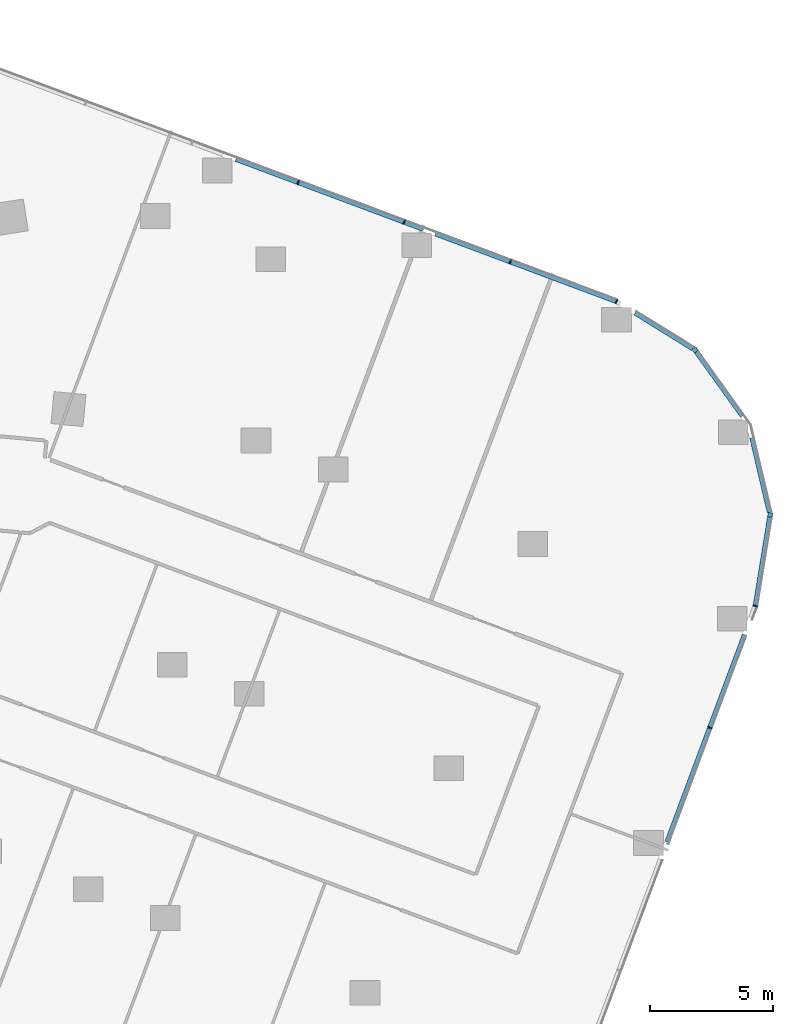
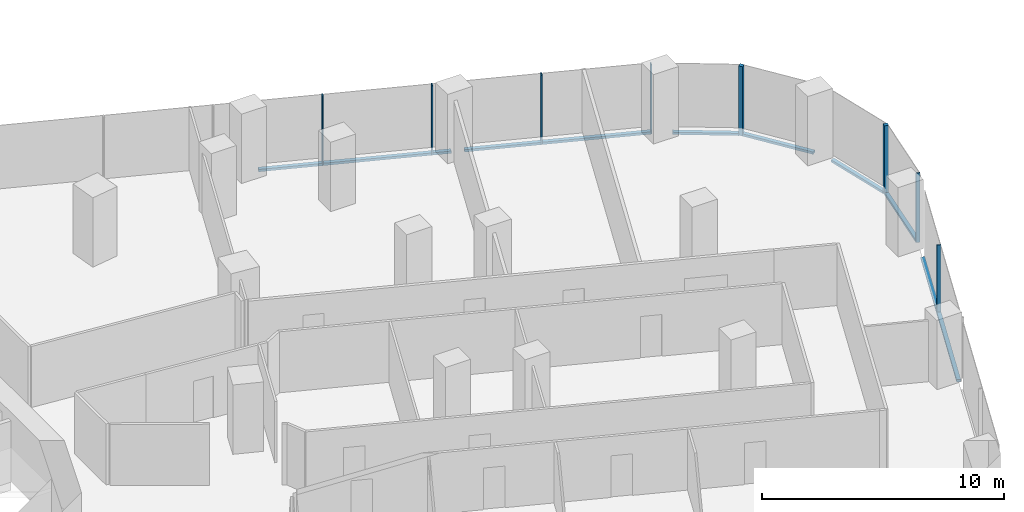
# One storey, part 10 of 31: 15 members, 6 elements without a shape of their own.
"""IFC4 building model written with IfcOpenShell, lengths in metres."""

from ifc_helpers import new_model, si_unit, direction, frame, origin, origin_2d, place, context, subcontext, project, spatial, rectangle, extrude, material, material_profile, profile_set, type_object, element, aggregate, save


model = new_model("IFC4")

# Units and contexts
model_context = context("Model", 3, precision=1e-05, world=origin(), true_north=direction((0.0, 1.0)))
body_context = subcontext(model_context, "Body", "Model", "MODEL_VIEW")
ifc_project = project(units=[si_unit("LENGTHUNIT", "METRE"), si_unit("AREAUNIT", "SQUARE_METRE"), si_unit("VOLUMEUNIT", "CUBIC_METRE"), si_unit("PLANEANGLEUNIT", "RADIAN"), si_unit("MASSUNIT", "GRAM", prefix="KILO")], contexts=[model_context])

# Site, building, storey
site_placement = place(None, origin())
site = spatial("IfcSite", under=ifc_project, at=site_placement, CompositionType="ELEMENT")
building_placement = place(site_placement, origin())
building = spatial("IfcBuilding", under=site, at=building_placement, Name="Orlundy Tower", CompositionType="ELEMENT")
storey_placement = place(building_placement, frame((0.0, 0.0, 84.199951171875)))
storey = spatial("IfcBuildingStorey", under=building, at=storey_placement, Name="L20", CompositionType="ELEMENT", Elevation=84.199951171875)

# Curtain wall, member
ifc_material_1 = material(Name="Aluminium bronze anodised", Category="aluminium")
curtain_wall_type = type_object("IfcCurtainWallType", Name="CW1 wall", PredefinedType="NOTDEFINED", material=ifc_material_1)
curtain_wall_1_placement = place(storey_placement, origin())
curtain_wall_1 = element("IfcCurtainWall", 1, at=curtain_wall_1_placement, inside=storey, type_object=curtain_wall_type, Name="CW1 run 08", PredefinedType="NOTDEFINED")
ifc_material_2 = material(Name="Aluminium bronze anodised", Category="aluminium")
ifc_material_profile_1 = material_profile(ifc_material_2, rectangle(XDim=0.179931640625, YDim=0.179931640625, at=origin_2d()), Name="CW1 corner post 180x180")
ifc_profile_set_1 = profile_set([ifc_material_profile_1], Name="Aluminium bronze anodised")
member_type_1 = type_object("IfcMemberType", Name="CW1 corner post 180x180", PredefinedType="MULLION", material=ifc_profile_set_1)
member_1_placement = place(storey_placement, frame((57.052490234375, -0.659912109375, -0.39990234375), z_axis=(0.0, 0.0, 1.0), x_axis=(0.811723617772, 0.584041752233, 0.0)))
member_1 = element("IfcMember", 2, at=member_1_placement, type_object=member_type_1, Name="CW1 mullion 33", PredefinedType="MULLION", context=body_context, shape_type="SweptSolid", body=[
    extrude(rectangle(XDim=0.179931640625, YDim=0.179931640625, at=origin_2d()), origin(), (0.0, 0.0, 1.0), 3.5),
])

curtain_wall_2_placement = place(storey_placement, origin())
curtain_wall_2 = element("IfcCurtainWall", 3, at=curtain_wall_2_placement, inside=storey, type_object=curtain_wall_type, Name="CW1 run 010", PredefinedType="NOTDEFINED")
member_2_placement = place(storey_placement, frame((60.0966796875, -7.3408203125, -0.39990234375), z_axis=(0.0, 0.0, 1.0), x_axis=(0.986985368462, -0.160810081906, 0.0)))
member_2 = element("IfcMember", 4, at=member_2_placement, type_object=member_type_1, Name="CW1 mullion 35", PredefinedType="MULLION", context=body_context, shape_type="SweptSolid", body=[
    extrude(rectangle(XDim=0.179931640625, YDim=0.179931640625, at=origin_2d()), origin(), (0.0, 0.0, 1.0), 3.5),
])

# Curtain wall, members
curtain_wall_3_placement = place(storey_placement, origin())
curtain_wall_3 = element("IfcCurtainWall", 5, at=curtain_wall_3_placement, inside=storey, type_object=curtain_wall_type, Name="CW1 run 06", PredefinedType="NOTDEFINED")
ifc_material_3 = material(Name="Aluminium bronze anodised", Category="aluminium")
ifc_material_profile_2 = material_profile(ifc_material_3, rectangle(XDim=0.179931640625, YDim=0.050048828125, at=origin_2d()), Name="CW1 mullion 50x180")
ifc_profile_set_2 = profile_set([ifc_material_profile_2], Name="Aluminium bronze anodised")
member_type_2 = type_object("IfcMemberType", Name="CW1 mullion 50x180", PredefinedType="MULLION", material=ifc_profile_set_2)
member_3_placement = place(storey_placement, frame((40.97509765625, 6.12841796875, -0.39990234375), z_axis=(0.0, 0.0, 1.0), x_axis=(0.350203812273, 0.93667352363, 0.0)))
member_3 = element("IfcMember", 6, at=member_3_placement, type_object=member_type_2, Name="CW1 mullion 29", PredefinedType="MULLION", context=body_context, shape_type="SweptSolid", body=[
    extrude(rectangle(XDim=0.179931640625, YDim=0.050048828125, at=origin_2d()), origin(), (0.0, 0.0, 1.0), 3.5),
])
member_4_placement = place(storey_placement, frame((45.273193359375, 4.521240234375, -0.39990234375), z_axis=(0.0, 0.0, 1.0), x_axis=(0.350203812273, 0.93667352363, 0.0)))
member_4 = element("IfcMember", 7, at=member_4_placement, type_object=member_type_2, Name="CW1 mullion 30", PredefinedType="MULLION", context=body_context, shape_type="SweptSolid", body=[
    extrude(rectangle(XDim=0.179931640625, YDim=0.050048828125, at=origin_2d()), origin(), (0.0, 0.0, 1.0), 3.5),
])
member_5_placement = place(storey_placement, frame((49.5712890625, 2.914306640625, -0.39990234375), z_axis=(0.0, 0.0, 1.0), x_axis=(0.350203812273, 0.93667352363, 0.0)))
member_5 = element("IfcMember", 8, at=member_5_placement, type_object=member_type_2, Name="CW1 mullion 31", PredefinedType="MULLION", context=body_context, shape_type="SweptSolid", body=[
    extrude(rectangle(XDim=0.179931640625, YDim=0.050048828125, at=origin_2d()), origin(), (0.0, 0.0, 1.0), 3.5),
])

# Curtain wall, member
curtain_wall_4_placement = place(storey_placement, origin())
curtain_wall_4 = element("IfcCurtainWall", 9, at=curtain_wall_4_placement, inside=storey, type_object=curtain_wall_type, Name="CW1 run 07", PredefinedType="NOTDEFINED")
member_6_placement = place(storey_placement, frame((53.8779296875, 1.30419921875, -0.39990234375), z_axis=(0.0, 0.0, 1.0), x_axis=(0.440276029631, 0.897862471503, 0.0)))
member_6 = element("IfcMember", 10, at=member_6_placement, type_object=member_type_2, Name="CW1 mullion 32", PredefinedType="MULLION", context=body_context, shape_type="SweptSolid", body=[
    extrude(rectangle(XDim=0.179931640625, YDim=0.050048828125, at=origin_2d()), origin(), (0.0, 0.0, 1.0), 3.5),
])

# Curtain wall, members
curtain_wall_5_placement = place(storey_placement, origin())
curtain_wall_5 = element("IfcCurtainWall", 11, at=curtain_wall_5_placement, inside=storey, type_object=curtain_wall_type, Name="CW1 run 011", PredefinedType="NOTDEFINED")
member_7_placement = place(storey_placement, frame((59.496337890625, -11.025146484375, -0.39990234375), z_axis=(0.0, 0.0, 1.0), x_axis=(0.966481186218, -0.256737446988, 0.0)))
member_7 = element("IfcMember", 12, at=member_7_placement, type_object=member_type_2, Name="CW1 mullion 36", PredefinedType="MULLION", context=body_context, shape_type="SweptSolid", body=[
    extrude(rectangle(XDim=0.179931640625, YDim=0.050048828125, at=origin_2d()), origin(), (0.0, 0.0, 1.0), 3.5),
])
member_8_placement = place(storey_placement, frame((57.65478515625, -15.950927734375, -0.39990234375), z_axis=(0.0, 0.0, 1.0), x_axis=(0.936677057252, -0.350194360916, 0.0)))
member_8 = element("IfcMember", 13, at=member_8_placement, type_object=member_type_2, Name="CW1 mullion 37", PredefinedType="MULLION", context=body_context, shape_type="SweptSolid", body=[
    extrude(rectangle(XDim=0.179931640625, YDim=0.050048828125, at=origin_2d()), origin(), (0.0, 0.0, 1.0), 3.5),
])

# Member
ifc_material_4 = material(Name="Aluminium bronze anodised", Category="aluminium")
ifc_material_profile_3 = material_profile(ifc_material_4, rectangle(XDim=0.179931640625, YDim=0.1201171875, at=origin_2d()), Name="CW1 transom 180x120")
ifc_profile_set_3 = profile_set([ifc_material_profile_3], Name="Aluminium bronze anodised")
member_type_3 = type_object("IfcMemberType", Name="CW1 transom 180x120", PredefinedType="USERDEFINED", material=ifc_profile_set_3)
member_9_placement = place(storey_placement, frame((38.4541015625, 7.07080078125, -0.33984375), z_axis=(0.936673902166, -0.35020279982, 0.0), x_axis=(0.35020279982, 0.936673902166, 0.0)))
member_9 = element("IfcMember", 14, at=member_9_placement, type_object=member_type_3, Name="CW1 transom", ObjectType="TRANSOM", PredefinedType="USERDEFINED", context=body_context, shape_type="SweptSolid", body=[
    extrude(rectangle(XDim=0.179931640625, YDim=0.1201171875, at=origin_2d()), origin(), (0.0, 0.0, 1.0), 8.08056640625),
])

member_10_placement = place(storey_placement, frame((46.541015625, 4.04736328125, -0.33984375), z_axis=(0.936669271794, -0.350215184246, 0.0), x_axis=(0.350215184246, 0.936669271794, 0.0)))
member_10 = element("IfcMember", 15, at=member_10_placement, type_object=member_type_3, Name="CW1 transom", ObjectType="TRANSOM", PredefinedType="USERDEFINED", context=body_context, shape_type="SweptSolid", body=[
    extrude(rectangle(XDim=0.179931640625, YDim=0.1201171875, at=origin_2d()), origin(), (0.0, 0.0, 1.0), 7.8076171875),
])

aggregate(curtain_wall_3, [member_3, member_4, member_5, member_9, member_10])

member_11_placement = place(storey_placement, frame((54.6259765625, 0.84130859375, -0.33984375), z_axis=(0.850418029211, -0.526107570363, 0.0), x_axis=(0.526107570363, 0.850418029211, 0.0)))
member_11 = element("IfcMember", 16, at=member_11_placement, type_object=member_type_3, Name="CW1 transom", ObjectType="TRANSOM", PredefinedType="USERDEFINED", context=body_context, shape_type="SweptSolid", body=[
    extrude(rectangle(XDim=0.179931640625, YDim=0.1201171875, at=origin_2d()), origin(), (0.0, 0.0, 1.0), 2.756103515625),
])

aggregate(curtain_wall_4, [member_6, member_11])

member_12_placement = place(storey_placement, frame((57.105224609375, -0.73291015625, -0.33984375), z_axis=(0.584015768049, -0.811742312972, 0.0), x_axis=(0.811742312972, 0.584015768049, 0.0)))
member_12 = element("IfcMember", 17, at=member_12_placement, type_object=member_type_3, Name="CW1 transom", ObjectType="TRANSOM", PredefinedType="USERDEFINED", context=body_context, shape_type="SweptSolid", body=[
    extrude(rectangle(XDim=0.179931640625, YDim=0.1201171875, at=origin_2d()), origin(), (0.0, 0.0, 1.0), 3.20556640625),
])

aggregate(curtain_wall_1, [member_1, member_12])

# Curtain wall, member
curtain_wall_6_placement = place(storey_placement, origin())
curtain_wall_6 = element("IfcCurtainWall", 18, at=curtain_wall_6_placement, inside=storey, type_object=curtain_wall_type, Name="CW1 run 09", PredefinedType="NOTDEFINED")
member_13_placement = place(storey_placement, frame((59.35888671875, -4.20947265625, -0.33984375), z_axis=(0.229383925771, -0.973336023477, 0.0), x_axis=(0.973336023477, 0.229383925771, 0.0)))
member_13 = element("IfcMember", 19, at=member_13_placement, type_object=member_type_3, Name="CW1 transom", ObjectType="TRANSOM", PredefinedType="USERDEFINED", context=body_context, shape_type="SweptSolid", body=[
    extrude(rectangle(XDim=0.179931640625, YDim=0.1201171875, at=origin_2d()), origin(), (0.0, 0.0, 1.0), 3.11962890625),
])
aggregate(curtain_wall_6, [member_13])

# Member
member_14_placement = place(storey_placement, frame((60.082275390625, -7.4296875, -0.33984375), z_axis=(-0.160808608313, -0.986985608554, 0.0), x_axis=(0.986985608554, -0.160808608313, 0.0)))
member_14 = element("IfcMember", 20, at=member_14_placement, type_object=member_type_3, Name="CW1 transom", ObjectType="TRANSOM", PredefinedType="USERDEFINED", context=body_context, shape_type="SweptSolid", body=[
    extrude(rectangle(XDim=0.179931640625, YDim=0.1201171875, at=origin_2d()), origin(), (0.0, 0.0, 1.0), 3.617919921875),
])

aggregate(curtain_wall_2, [member_2, member_14])

member_15_placement = place(storey_placement, frame((59.060546875, -12.19091796875, -0.33984375), z_axis=(-0.350201406125, -0.936674423238, 0.0), x_axis=(0.936674423238, -0.350201406125, 0.0)))
member_15 = element("IfcMember", 21, at=member_15_placement, type_object=member_type_3, Name="CW1 transom", ObjectType="TRANSOM", PredefinedType="USERDEFINED", context=body_context, shape_type="SweptSolid", body=[
    extrude(rectangle(XDim=0.179931640625, YDim=0.1201171875, at=origin_2d()), origin(), (0.0, 0.0, 1.0), 8.968017578125),
])

aggregate(curtain_wall_5, [member_7, member_8, member_15])

save(model, "model.ifc")
